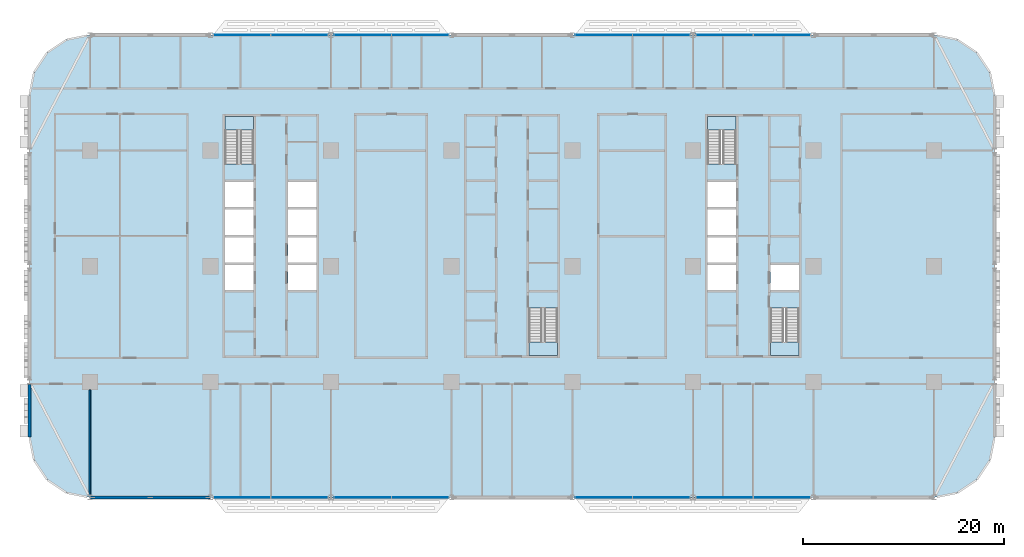
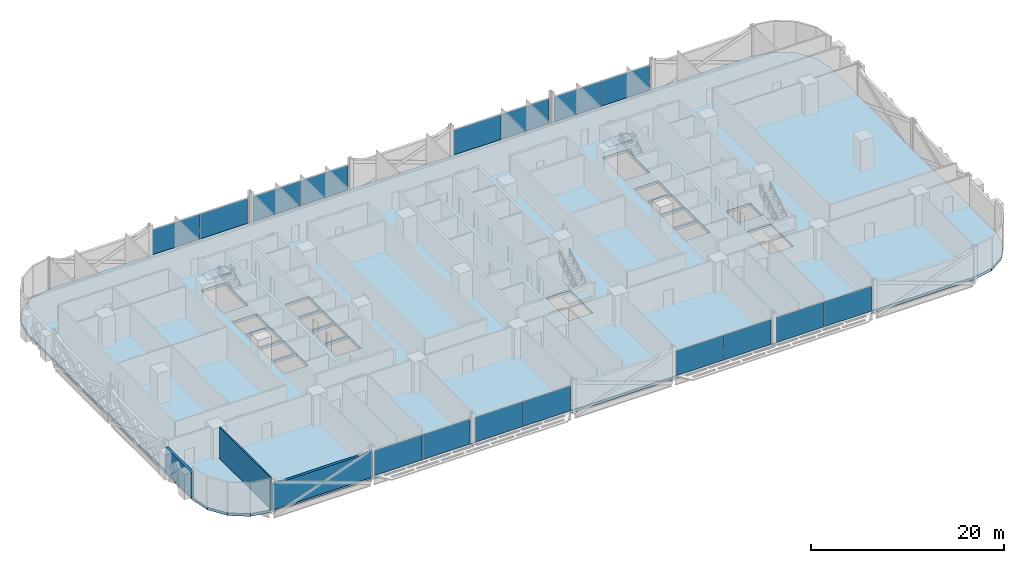
# One storey, part 9 of 27: 16 plates, 5 slabs, 3 walls, 12 elements without a shape of their own.
"""IFC4 building model written with IfcOpenShell, lengths in metres."""

from ifc_helpers import new_model, si_unit, direction, frame, frame_2d, origin, origin_2d, place, context, subcontext, project, spatial, polyline, rectangle, outline, extrude, material, layer, layer_set, type_object, element, aggregate, save


model = new_model("IFC4")

# Units and contexts
model_context = context("Model", 3, precision=1e-05, world=origin(), true_north=direction((0.0, 1.0)))
body_context = subcontext(model_context, "Body", "Model", "MODEL_VIEW")
ifc_project = project(units=[si_unit("LENGTHUNIT", "METRE"), si_unit("AREAUNIT", "SQUARE_METRE"), si_unit("VOLUMEUNIT", "CUBIC_METRE"), si_unit("PLANEANGLEUNIT", "RADIAN"), si_unit("MASSUNIT", "GRAM", prefix="KILO")], contexts=[model_context])

# Site, building, storey
site_placement = place(None, origin())
site = spatial("IfcSite", under=ifc_project, at=site_placement, CompositionType="ELEMENT")
building_placement = place(site_placement, origin())
building = spatial("IfcBuilding", under=site, at=building_placement, Name="Mahtab Terrace Research Tower", CompositionType="ELEMENT")
storey_placement = place(building_placement, frame((0.0, 0.0, 28.699951171875)))
storey = spatial("IfcBuildingStorey", under=building, at=storey_placement, Name="L06", CompositionType="ELEMENT", Elevation=28.699951171875)

# Stair, slab
ifc_material_1 = material(Name="Exit stair half-turn")
stair_type = type_object("IfcStairType", Name="Exit stair half-turn", PredefinedType="HALF_TURN_STAIR", material=ifc_material_1)
stair_1_placement = place(storey_placement, origin())
stair_1 = element("IfcStair", 1, at=stair_1_placement, inside=storey, type_object=stair_type, Name="L06 Protected exit stair ST1", PredefinedType="HALF_TURN_STAIR")
ifc_material_2 = material(Name="Concrete C40/50", Category="concrete")
ifc_layer_1 = layer(ifc_material_2, 0.199951171875)
ifc_layer_set_1 = layer_set([ifc_layer_1], Name="Exit stair landing 200")
slab_type_1 = type_object("IfcSlabType", Name="Exit stair landing 200", PredefinedType="LANDING", material=ifc_layer_set_1)
slab_1_placement = place(storey_placement, frame((0.0, 0.0, 1.949951171875)))
slab_1 = element("IfcSlab", 2, at=slab_1_placement, type_object=slab_type_1, Name="ST1 landing 1", PredefinedType="LANDING", context=body_context, shape_type="SweptSolid", body=[
    extrude(outline(polyline([(-25.699951171875, 13.534912109375), (-25.699951171875, 14.875), (-28.550048828125, 14.875), (-28.550048828125, 13.534912109375), (-25.699951171875, 13.534912109375)])), origin(), (0.0, 0.0, 1.0), 0.2001953125),
])
aggregate(stair_1, [slab_1])

stair_2_placement = place(storey_placement, origin())
stair_2 = element("IfcStair", 3, at=stair_2_placement, inside=storey, type_object=stair_type, Name="L06 Protected exit stair ST2", PredefinedType="HALF_TURN_STAIR")
slab_2_placement = place(storey_placement, frame((0.0, 0.0, 1.949951171875)))
slab_2 = element("IfcSlab", 4, at=slab_2_placement, type_object=slab_type_1, Name="ST2 landing 1", PredefinedType="LANDING", context=body_context, shape_type="SweptSolid", body=[
    extrude(outline(polyline([(1.699951171875, -7.534912109375), (1.699951171875, -8.875), (4.550048828125, -8.875), (4.550048828125, -7.534912109375), (1.699951171875, -7.534912109375)])), origin(), (0.0, 0.0, 1.0), 0.2001953125),
])
aggregate(stair_2, [slab_2])

stair_3_placement = place(storey_placement, origin())
stair_3 = element("IfcStair", 5, at=stair_3_placement, inside=storey, type_object=stair_type, Name="L06 Protected exit stair ST3", PredefinedType="HALF_TURN_STAIR")
slab_3_placement = place(storey_placement, frame((0.0, 0.0, 1.949951171875)))
slab_3 = element("IfcSlab", 6, at=slab_3_placement, type_object=slab_type_1, Name="ST3 landing 1", PredefinedType="LANDING", context=body_context, shape_type="SweptSolid", body=[
    extrude(outline(polyline([(22.300048828125, 13.534912109375), (22.300048828125, 14.875), (19.449951171875, 14.875), (19.449951171875, 13.534912109375), (22.300048828125, 13.534912109375)])), origin(), (0.0, 0.0, 1.0), 0.2001953125),
])
aggregate(stair_3, [slab_3])

stair_4_placement = place(storey_placement, origin())
stair_4 = element("IfcStair", 7, at=stair_4_placement, inside=storey, type_object=stair_type, Name="L06 Protected exit stair ST4", PredefinedType="HALF_TURN_STAIR")
slab_4_placement = place(storey_placement, frame((0.0, 0.0, 1.949951171875)))
slab_4 = element("IfcSlab", 8, at=slab_4_placement, type_object=slab_type_1, Name="ST4 landing 1", PredefinedType="LANDING", context=body_context, shape_type="SweptSolid", body=[
    extrude(outline(polyline([(25.699951171875, -7.534912109375), (25.699951171875, -8.875), (28.550048828125, -8.875), (28.550048828125, -7.534912109375), (25.699951171875, -7.534912109375)])), origin(), (0.0, 0.0, 1.0), 0.2001953125),
])
aggregate(stair_4, [slab_4])

# Curtain wall, plates
ifc_material_3 = material(Name="Laboratory ribbon curtain wall")
curtain_wall_type = type_object("IfcCurtainWallType", Name="Laboratory ribbon curtain wall", PredefinedType="NOTDEFINED", material=ifc_material_3)
curtain_wall_1_placement = place(storey_placement, origin())
curtain_wall_1 = element("IfcCurtainWall", 9, at=curtain_wall_1_placement, inside=storey, type_object=curtain_wall_type, Name="EN.L06.3.4", PredefinedType="NOTDEFINED")
ifc_material_4 = material(Name="Dark glazing", Category="glass")
ifc_layer_2 = layer(ifc_material_4, 0.031982421875)
ifc_layer_set_2 = layer_set([ifc_layer_2], Name="Laboratory ribbon curtain wall glazing panel")
plate_type = type_object("IfcPlateType", Name="Laboratory ribbon curtain wall glazing panel", PredefinedType="CURTAIN_PANEL", material=ifc_layer_set_2)
plate_1_placement = place(storey_placement, frame((26.859130859375, 23.0, 0.0), z_axis=(0.0, 0.0, 1.0), x_axis=(-1.0, 0.0, 0.0)))
plate_1 = element("IfcPlate", 10, at=plate_1_placement, type_object=plate_type, Name="CWL-1 panel 1", PredefinedType="CURTAIN_PANEL", context=body_context, shape_type="SweptSolid", body=[
    extrude(rectangle(XDim=5.653564453125, YDim=0.031982421875, at=origin_2d()), origin(), (0.0, 0.0, 1.0), 3.10302734375),
])
plate_2_placement = place(storey_placement, frame((21.140869140625, 23.0, 0.0), z_axis=(0.0, 0.0, 1.0), x_axis=(-1.0, 0.0, 0.0)))
plate_2 = element("IfcPlate", 11, at=plate_2_placement, type_object=plate_type, Name="CWL-1 panel 2", PredefinedType="CURTAIN_PANEL", context=body_context, shape_type="SweptSolid", body=[
    extrude(rectangle(XDim=5.653564453125, YDim=0.031982421875, at=origin_2d()), origin(), (0.0, 0.0, 1.0), 3.10302734375),
])
aggregate(curtain_wall_1, [plate_1, plate_2])

curtain_wall_2_placement = place(storey_placement, origin())
curtain_wall_2 = element("IfcCurtainWall", 12, at=curtain_wall_2_placement, inside=storey, type_object=curtain_wall_type, Name="EN.L06.3.5", PredefinedType="NOTDEFINED")
plate_3_placement = place(storey_placement, frame((14.859130859375, 23.0, 0.0), z_axis=(0.0, 0.0, 1.0), x_axis=(-1.0, 0.0, 0.0)))
plate_3 = element("IfcPlate", 13, at=plate_3_placement, type_object=plate_type, Name="CWL-1 panel 1", PredefinedType="CURTAIN_PANEL", context=body_context, shape_type="SweptSolid", body=[
    extrude(rectangle(XDim=5.653564453125, YDim=0.031982421875, at=origin_2d()), origin(), (0.0, 0.0, 1.0), 3.10302734375),
])
plate_4_placement = place(storey_placement, frame((9.140869140625, 23.0, 0.0), z_axis=(0.0, 0.0, 1.0), x_axis=(-1.0, 0.0, 0.0)))
plate_4 = element("IfcPlate", 14, at=plate_4_placement, type_object=plate_type, Name="CWL-1 panel 2", PredefinedType="CURTAIN_PANEL", context=body_context, shape_type="SweptSolid", body=[
    extrude(rectangle(XDim=5.653564453125, YDim=0.031982421875, at=origin_2d()), origin(), (0.0, 0.0, 1.0), 3.10302734375),
])
aggregate(curtain_wall_2, [plate_3, plate_4])

curtain_wall_3_placement = place(storey_placement, origin())
curtain_wall_3 = element("IfcCurtainWall", 15, at=curtain_wall_3_placement, inside=storey, type_object=curtain_wall_type, Name="EN.L06.3.7", PredefinedType="NOTDEFINED")
plate_5_placement = place(storey_placement, frame((-9.140869140625, 23.0, 0.0), z_axis=(0.0, 0.0, 1.0), x_axis=(-1.0, 0.0, 0.0)))
plate_5 = element("IfcPlate", 16, at=plate_5_placement, type_object=plate_type, Name="CWL-1 panel 1", PredefinedType="CURTAIN_PANEL", context=body_context, shape_type="SweptSolid", body=[
    extrude(rectangle(XDim=5.653564453125, YDim=0.031982421875, at=origin_2d()), origin(), (0.0, 0.0, 1.0), 3.10302734375),
])
plate_6_placement = place(storey_placement, frame((-14.859130859375, 23.0, 0.0), z_axis=(0.0, 0.0, 1.0), x_axis=(-1.0, 0.0, 0.0)))
plate_6 = element("IfcPlate", 17, at=plate_6_placement, type_object=plate_type, Name="CWL-1 panel 2", PredefinedType="CURTAIN_PANEL", context=body_context, shape_type="SweptSolid", body=[
    extrude(rectangle(XDim=5.653564453125, YDim=0.031982421875, at=origin_2d()), origin(), (0.0, 0.0, 1.0), 3.10302734375),
])
aggregate(curtain_wall_3, [plate_5, plate_6])

curtain_wall_4_placement = place(storey_placement, origin())
curtain_wall_4 = element("IfcCurtainWall", 18, at=curtain_wall_4_placement, inside=storey, type_object=curtain_wall_type, Name="EN.L06.3.8", PredefinedType="NOTDEFINED")
plate_7_placement = place(storey_placement, frame((-21.140869140625, 23.0, 0.0), z_axis=(0.0, 0.0, 1.0), x_axis=(-1.0, 0.0, 0.0)))
plate_7 = element("IfcPlate", 19, at=plate_7_placement, type_object=plate_type, Name="CWL-1 panel 1", PredefinedType="CURTAIN_PANEL", context=body_context, shape_type="SweptSolid", body=[
    extrude(rectangle(XDim=5.653564453125, YDim=0.031982421875, at=origin_2d()), origin(), (0.0, 0.0, 1.0), 3.10302734375),
])
plate_8_placement = place(storey_placement, frame((-26.859130859375, 23.0, 0.0), z_axis=(0.0, 0.0, 1.0), x_axis=(-1.0, 0.0, 0.0)))
plate_8 = element("IfcPlate", 20, at=plate_8_placement, type_object=plate_type, Name="CWL-1 panel 2", PredefinedType="CURTAIN_PANEL", context=body_context, shape_type="SweptSolid", body=[
    extrude(rectangle(XDim=5.653564453125, YDim=0.031982421875, at=origin_2d()), origin(), (0.0, 0.0, 1.0), 3.10302734375),
])
aggregate(curtain_wall_4, [plate_7, plate_8])

curtain_wall_5_placement = place(storey_placement, origin())
curtain_wall_5 = element("IfcCurtainWall", 21, at=curtain_wall_5_placement, inside=storey, type_object=curtain_wall_type, Name="EN.L06.13.23", PredefinedType="NOTDEFINED")
plate_9_placement = place(storey_placement, frame((-26.859130859375, -23.0, 0.0), z_axis=(0.0, 0.0, 1.0), x_axis=(1.0, 0.0, 0.0)))
plate_9 = element("IfcPlate", 22, at=plate_9_placement, type_object=plate_type, Name="CWL-1 panel 1", PredefinedType="CURTAIN_PANEL", context=body_context, shape_type="SweptSolid", body=[
    extrude(rectangle(XDim=5.653564453125, YDim=0.031982421875, at=origin_2d()), origin(), (0.0, 0.0, 1.0), 3.10302734375),
])
plate_10_placement = place(storey_placement, frame((-21.140869140625, -23.0, 0.0), z_axis=(0.0, 0.0, 1.0), x_axis=(1.0, 0.0, 0.0)))
plate_10 = element("IfcPlate", 23, at=plate_10_placement, type_object=plate_type, Name="CWL-1 panel 2", PredefinedType="CURTAIN_PANEL", context=body_context, shape_type="SweptSolid", body=[
    extrude(rectangle(XDim=5.653564453125, YDim=0.031982421875, at=origin_2d()), origin(), (0.0, 0.0, 1.0), 3.10302734375),
])
aggregate(curtain_wall_5, [plate_9, plate_10])

curtain_wall_6_placement = place(storey_placement, origin())
curtain_wall_6 = element("IfcCurtainWall", 24, at=curtain_wall_6_placement, inside=storey, type_object=curtain_wall_type, Name="EN.L06.13.24", PredefinedType="NOTDEFINED")
plate_11_placement = place(storey_placement, frame((-14.859130859375, -23.0, 0.0), z_axis=(0.0, 0.0, 1.0), x_axis=(1.0, 0.0, 0.0)))
plate_11 = element("IfcPlate", 25, at=plate_11_placement, type_object=plate_type, Name="CWL-1 panel 1", PredefinedType="CURTAIN_PANEL", context=body_context, shape_type="SweptSolid", body=[
    extrude(rectangle(XDim=5.653564453125, YDim=0.031982421875, at=origin_2d()), origin(), (0.0, 0.0, 1.0), 3.10302734375),
])
plate_12_placement = place(storey_placement, frame((-9.140869140625, -23.0, 0.0), z_axis=(0.0, 0.0, 1.0), x_axis=(1.0, 0.0, 0.0)))
plate_12 = element("IfcPlate", 26, at=plate_12_placement, type_object=plate_type, Name="CWL-1 panel 2", PredefinedType="CURTAIN_PANEL", context=body_context, shape_type="SweptSolid", body=[
    extrude(rectangle(XDim=5.653564453125, YDim=0.031982421875, at=origin_2d()), origin(), (0.0, 0.0, 1.0), 3.10302734375),
])
aggregate(curtain_wall_6, [plate_11, plate_12])

curtain_wall_7_placement = place(storey_placement, origin())
curtain_wall_7 = element("IfcCurtainWall", 27, at=curtain_wall_7_placement, inside=storey, type_object=curtain_wall_type, Name="EN.L06.13.26", PredefinedType="NOTDEFINED")
plate_13_placement = place(storey_placement, frame((9.140869140625, -23.0, 0.0), z_axis=(0.0, 0.0, 1.0), x_axis=(1.0, 0.0, 0.0)))
plate_13 = element("IfcPlate", 28, at=plate_13_placement, type_object=plate_type, Name="CWL-1 panel 1", PredefinedType="CURTAIN_PANEL", context=body_context, shape_type="SweptSolid", body=[
    extrude(rectangle(XDim=5.653564453125, YDim=0.031982421875, at=origin_2d()), origin(), (0.0, 0.0, 1.0), 3.10302734375),
])
plate_14_placement = place(storey_placement, frame((14.859130859375, -23.0, 0.0), z_axis=(0.0, 0.0, 1.0), x_axis=(1.0, 0.0, 0.0)))
plate_14 = element("IfcPlate", 29, at=plate_14_placement, type_object=plate_type, Name="CWL-1 panel 2", PredefinedType="CURTAIN_PANEL", context=body_context, shape_type="SweptSolid", body=[
    extrude(rectangle(XDim=5.653564453125, YDim=0.031982421875, at=origin_2d()), origin(), (0.0, 0.0, 1.0), 3.10302734375),
])
aggregate(curtain_wall_7, [plate_13, plate_14])

curtain_wall_8_placement = place(storey_placement, origin())
curtain_wall_8 = element("IfcCurtainWall", 30, at=curtain_wall_8_placement, inside=storey, type_object=curtain_wall_type, Name="EN.L06.13.27", PredefinedType="NOTDEFINED")
plate_15_placement = place(storey_placement, frame((21.140869140625, -23.0, 0.0), z_axis=(0.0, 0.0, 1.0), x_axis=(1.0, 0.0, 0.0)))
plate_15 = element("IfcPlate", 31, at=plate_15_placement, type_object=plate_type, Name="CWL-1 panel 1", PredefinedType="CURTAIN_PANEL", context=body_context, shape_type="SweptSolid", body=[
    extrude(rectangle(XDim=5.653564453125, YDim=0.031982421875, at=origin_2d()), origin(), (0.0, 0.0, 1.0), 3.10302734375),
])
plate_16_placement = place(storey_placement, frame((26.859130859375, -23.0, 0.0), z_axis=(0.0, 0.0, 1.0), x_axis=(1.0, 0.0, 0.0)))
plate_16 = element("IfcPlate", 32, at=plate_16_placement, type_object=plate_type, Name="CWL-1 panel 2", PredefinedType="CURTAIN_PANEL", context=body_context, shape_type="SweptSolid", body=[
    extrude(rectangle(XDim=5.653564453125, YDim=0.031982421875, at=origin_2d()), origin(), (0.0, 0.0, 1.0), 3.10302734375),
])
aggregate(curtain_wall_8, [plate_15, plate_16])

# Slab
ifc_layer_3 = layer(ifc_material_2, 0.340087890625)
ifc_layer_set_3 = layer_set([ifc_layer_3], Name="PT flat slab 340")
slab_type_2 = type_object("IfcSlabType", Name="PT flat slab 340", PredefinedType="FLOOR", material=ifc_layer_set_3)
slab_5_placement = place(storey_placement, frame((0.0, 0.0, -0.33984375)))
element("IfcSlab", 33, at=slab_5_placement, inside=storey, type_object=slab_type_2, Name="Floor slab L06", PredefinedType="FLOOR", context=body_context, shape_type="SweptSolid", body=[
    extrude(outline(polyline([(47.54296875, 19.2958984375), (46.242919921875, 21.242919921875), (44.2958984375, 22.54296875), (42.0, 23.0), (-42.0, 23.0), (-44.2958984375, 22.54296875), (-46.242919921875, 21.242919921875), (-47.54296875, 19.2958984375), (-48.0, 17.0), (-48.0, -17.0), (-47.54296875, -19.2958984375), (-46.242919921875, -21.242919921875), (-44.2958984375, -22.54296875), (-42.0, -23.0), (42.0, -23.0), (44.2958984375, -22.54296875), (46.242919921875, -21.242919921875), (47.54296875, -19.2958984375), (48.0, -17.0), (48.0, 17.0), (47.54296875, 19.2958984375)]), holes=[polyline([(-28.550048828125, -2.375), (-28.550048828125, 0.125), (-25.699951171875, 0.125), (-25.699951171875, -2.375), (-28.550048828125, -2.375)]), polyline([(-22.300048828125, -2.375), (-22.300048828125, 0.125), (-19.449951171875, 0.125), (-19.449951171875, -2.375), (-22.300048828125, -2.375)]), polyline([(-28.550048828125, 0.375), (-28.550048828125, 2.875), (-25.699951171875, 2.875), (-25.699951171875, 0.375), (-28.550048828125, 0.375)]), polyline([(-22.300048828125, 0.375), (-22.300048828125, 2.875), (-19.449951171875, 2.875), (-19.449951171875, 0.375), (-22.300048828125, 0.375)]), polyline([(-28.550048828125, 3.125), (-28.550048828125, 5.625), (-25.699951171875, 5.625), (-25.699951171875, 3.125), (-28.550048828125, 3.125)]), polyline([(-22.300048828125, 3.125), (-22.300048828125, 5.625), (-19.449951171875, 5.625), (-19.449951171875, 3.125), (-22.300048828125, 3.125)]), polyline([(-28.550048828125, 5.875), (-28.550048828125, 8.375), (-25.699951171875, 8.375), (-25.699951171875, 5.875), (-28.550048828125, 5.875)]), polyline([(-22.300048828125, 5.875), (-22.300048828125, 8.375), (-19.449951171875, 8.375), (-19.449951171875, 5.875), (-22.300048828125, 5.875)]), polyline([(-28.550048828125, 10.177001953125), (-28.550048828125, 14.875), (-25.699951171875, 14.875), (-25.699951171875, 10.177001953125), (-28.550048828125, 10.177001953125)]), polyline([(1.699951171875, -8.875), (1.699951171875, -4.177001953125), (4.550048828125, -4.177001953125), (4.550048828125, -8.875), (1.699951171875, -8.875)]), polyline([(25.699951171875, -8.875), (25.699951171875, -4.177001953125), (28.550048828125, -4.177001953125), (28.550048828125, -8.875), (25.699951171875, -8.875)]), polyline([(19.449951171875, -2.375), (19.449951171875, 0.125), (22.300048828125, 0.125), (22.300048828125, -2.375), (19.449951171875, -2.375)]), polyline([(25.699951171875, -2.375), (25.699951171875, 0.125), (28.550048828125, 0.125), (28.550048828125, -2.375), (25.699951171875, -2.375)]), polyline([(19.449951171875, 0.375), (19.449951171875, 2.875), (22.300048828125, 2.875), (22.300048828125, 0.375), (19.449951171875, 0.375)]), polyline([(19.449951171875, 3.125), (19.449951171875, 5.625), (22.300048828125, 5.625), (22.300048828125, 3.125), (19.449951171875, 3.125)]), polyline([(19.449951171875, 8.375), (22.300048828125, 8.375), (22.300048828125, 5.875), (19.449951171875, 5.875), (19.449951171875, 8.375)]), polyline([(19.449951171875, 14.875), (22.300048828125, 14.875), (22.300048828125, 10.177001953125), (19.449951171875, 10.177001953125), (19.449951171875, 14.875)])]), origin(), (0.0, 0.0, 1.0), 0.33984375),
])

# Walls
ifc_material_5 = material(Name="Black aluminium cladding panel", Category="aluminium")
ifc_layer_4 = layer(ifc_material_5, 0.300048828125)
ifc_layer_set_4 = layer_set([ifc_layer_4], Name="Opaque facade wall 300")
wall_type_1 = type_object("IfcWallType", Name="Opaque facade wall 300", PredefinedType="NOTDEFINED", material=ifc_layer_set_4)
wall_1_placement = place(storey_placement, frame((-48.0, -11.7490234375, 0.0), z_axis=(0.0, 0.0, 1.0), x_axis=(0.0, -1.0, 0.0)))
element("IfcWall", 34, at=wall_1_placement, inside=storey, type_object=wall_type_1, Name="Opaque facade wall L06 W17", PredefinedType="NOTDEFINED", context=body_context, shape_type="SweptSolid", body=[
    extrude(rectangle(XDim=5.2509765625, YDim=0.300048828125, at=frame_2d((2.62548828125, 0.0))), origin(), (0.0, 0.0, 1.0), 3.203125),
])
wall_2_placement = place(storey_placement, frame((-41.97216796875, -23.0, 0.0), z_axis=(0.0, 0.0, 1.0), x_axis=(1.0, 0.0, 0.0)))
element("IfcWall", 35, at=wall_2_placement, inside=storey, type_object=wall_type_1, Name="Opaque facade wall L06 S22", PredefinedType="NOTDEFINED", context=body_context, shape_type="SweptSolid", body=[
    extrude(rectangle(XDim=11.9443359375, YDim=0.300048828125, at=frame_2d((5.97216796875, 0.0))), origin(), (0.0, 0.0, 1.0), 3.203125),
])
ifc_material_6 = material(Name="Gypsum board partition on steel studs", Category="steel")
ifc_layer_5 = layer(ifc_material_6, 0.14990234375)
ifc_layer_set_5 = layer_set([ifc_layer_5], Name="WALL PARTITION 150")
wall_type_2 = type_object("IfcWallType", Name="WALL PARTITION 150", PredefinedType="PARTITIONING", material=ifc_layer_set_5)
wall_3_placement = place(storey_placement, frame((-42.0, -22.84716796875, 0.0), z_axis=(0.0, 0.0, 1.0), x_axis=(0.0, 1.0, 0.0)))
element("IfcWall", 36, at=wall_3_placement, inside=storey, type_object=wall_type_2, Name="L06-W028", PredefinedType="PARTITIONING", context=body_context, shape_type="SweptSolid", body=[
    extrude(rectangle(XDim=10.547119140625, YDim=0.14990234375, at=frame_2d((5.2734375, 0.0))), origin(), (0.0, 0.0, 1.0), 3.9599609375),
])

save(model, "model.ifc")
